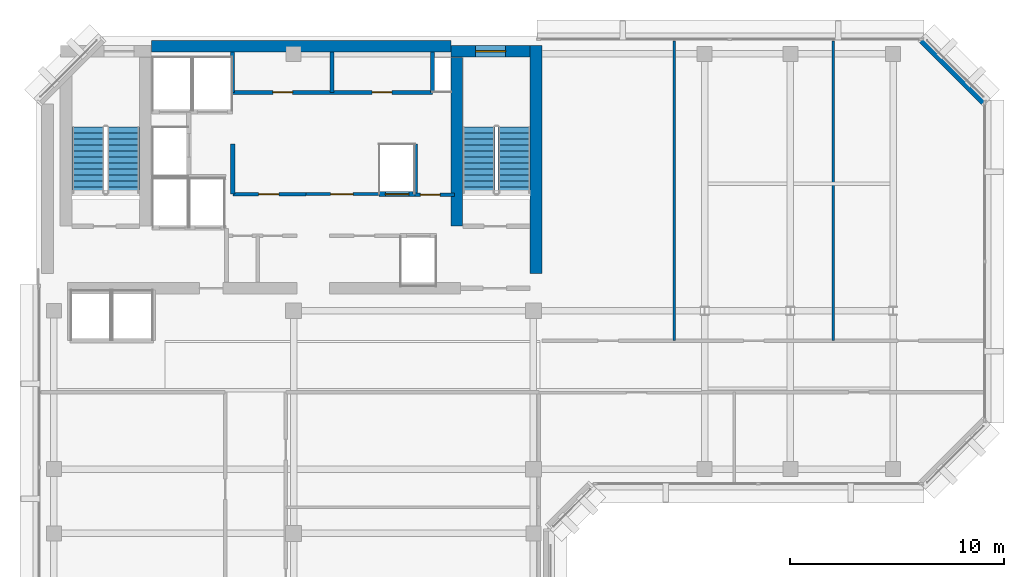
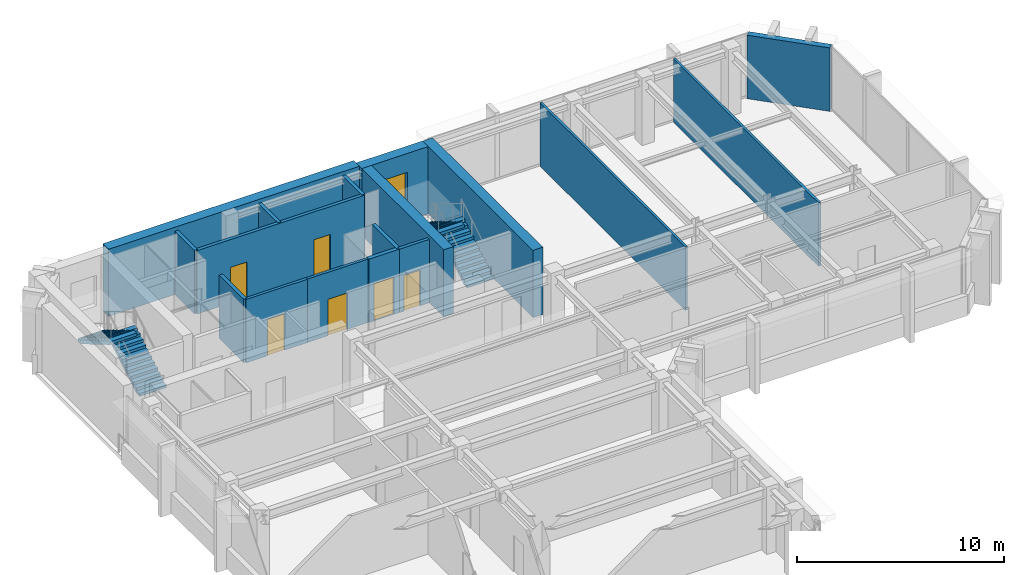
# One storey, part 8 of 11: 17 walls, 6 doors, 4 stair flights, 1 window, 7 openings, 2 elements without a shape of their own.
"""IFC4 building model written with IfcOpenShell, lengths in metres."""

from ifc_helpers import new_model, si_unit, direction, frame, frame_2d, origin, place, context, subcontext, project, spatial, polyline, rectangle, outline, extrude, material, layer, layer_set, type_object, element, fill, aggregate, save


model = new_model("IFC4")

# Units and contexts
model_context = context("Model", 3, precision=1e-05, world=origin(), true_north=direction((0.0, 1.0)))
body_context = subcontext(model_context, "Body", "Model", "MODEL_VIEW")
ifc_project = project(units=[si_unit("LENGTHUNIT", "METRE"), si_unit("AREAUNIT", "SQUARE_METRE"), si_unit("VOLUMEUNIT", "CUBIC_METRE"), si_unit("PLANEANGLEUNIT", "RADIAN"), si_unit("MASSUNIT", "GRAM", prefix="KILO")], contexts=[model_context])

# Site, building, storey
site_placement = place(None, origin())
site = spatial("IfcSite", under=ifc_project, at=site_placement, CompositionType="ELEMENT")
building_placement = place(site_placement, origin())
building = spatial("IfcBuilding", under=site, at=building_placement, Name="Kefirva Bronze Tower", CompositionType="ELEMENT")
storey_placement = place(building_placement, frame((0.0, 0.0, 307.889892578125)))
storey = spatial("IfcBuildingStorey", under=building, at=storey_placement, Name="L75", CompositionType="ELEMENT", Elevation=307.889892578125)

# Walls
ifc_material_1 = material(Name="Gypsum acoustic partition")
ifc_layer_1 = layer(ifc_material_1, 0.1298828125, Name="Gypsum acoustic partition")
ifc_layer_set_1 = layer_set([ifc_layer_1], Name="Gypsum acoustic partition")
wall_type_1 = type_object("IfcWallType", Name="Acoustic Office Partition 130mm", PredefinedType="PARTITIONING", material=ifc_layer_set_1)
for number, where, z_axis, x_axis, name in (
    (1, (29.782958984375, 31.800048828125, 0.0), (0.0, 0.0, 1.0), (0.0, 1.0, 0.0), "L75 Partition W-L75-END1"),
    (2, (37.20263671875, 31.800048828125, 0.0), (0.0, 0.0, 1.0), (0.0, 1.0, 0.0), "L75 Partition W-L75-END2"),
):
    element("IfcWall", number, at=place(storey_placement, frame(where, z_axis=z_axis, x_axis=x_axis)), inside=storey, type_object=wall_type_1, Name=name, PredefinedType="PARTITIONING", context=body_context, shape_type="SweptSolid", body=[
        extrude(rectangle(XDim=14.010009765625, YDim=0.1298828125, at=frame_2d((7.0048828125, 0.0))), origin(), (0.0, 0.0, 1.0), 3.739990234375),
    ])

# Wall, opening, door
ifc_layer_2 = layer(ifc_material_1, 0.14990234375, Name="Gypsum acoustic partition")
ifc_layer_set_2 = layer_set([ifc_layer_2], Name="Gypsum acoustic partition")
wall_type_2 = type_object("IfcWallType", Name="Executive Suite Partition 150mm", PredefinedType="PARTITIONING", material=ifc_layer_set_2)
wall_1_placement = place(storey_placement, frame((12.580078125, 38.64990234375, 0.0), z_axis=(0.0, 0.0, 1.0), x_axis=(1.0, 0.0, 0.0)))
wall_1 = element("IfcWall", 3, at=wall_1_placement, inside=storey, type_object=wall_type_2, Name="L75 Partition W-L75-RECMP2", PredefinedType="PARTITIONING", context=body_context, shape_type="SweptSolid", body=[
    extrude(rectangle(XDim=3.3798828125, YDim=0.14990234375, at=frame_2d((1.68994140625, 0.0))), origin(), (0.0, 0.0, 1.0), 3.739990234375),
])
opening_1_placement = place(wall_1_placement, frame((2.199951171875, 0.0, 0.0), z_axis=(0.0, 0.0, 1.0), x_axis=(-1.0, 0.0, 0.0)))
opening_1 = element("IfcOpeningElement", 4, at=opening_1_placement, cuts=wall_1, Name="Opening L75-D-RECMP2", PredefinedType="OPENING", context=body_context, shape_type="SweptSolid", body=[
    extrude(rectangle(XDim=1.050048828125, YDim=2.14990234375, at=frame_2d((0.52490234375, 1.074951171875))), frame((0.0, 0.0849609375, 0.0), z_axis=(0.0, -1.0, 0.0), x_axis=(1.0, 0.0, 0.0)), (0.0, 0.0, 1.0), 0.169921875),
])
ifc_material_2 = material(Name="Acoustic hardwood oak", Category="wood")
door_type_1 = type_object("IfcDoorType", Name="Executive & Boardroom Door 1050x2150", OperationType="NOTDEFINED", PredefinedType="DOOR", material=ifc_material_2)
door_1_placement = place(opening_1_placement, origin())
door_1 = element("IfcDoor", 5, at=door_1_placement, inside=storey, type_object=door_type_1, Name="Door L75-D-RECMP2", OperationType="SINGLE_SWING_RIGHT", OverallHeight=2.14990234375, OverallWidth=1.050048828125, PredefinedType="DOOR", context=body_context, shape_type="SweptSolid", body=[
    extrude(rectangle(XDim=1.050048828125, YDim=2.14990234375, at=frame_2d((0.52490234375, 1.074951171875))), frame((0.0, 0.02490234375, 0.0), z_axis=(0.0, -1.0, 0.0), x_axis=(1.0, 0.0, 0.0)), (0.0, 0.0, 1.0), 0.050048828125),
])
fill(opening_1, door_1)

# Walls
ifc_material_3 = material(Name="Gypsum fireboard shaftwall")
ifc_layer_3 = layer(ifc_material_3, 0.219970703125, Name="Gypsum fireboard shaftwall")
ifc_layer_set_3 = layer_set([ifc_layer_3], Name="Gypsum fireboard shaftwall")
wall_type_3 = type_object("IfcWallType", Name="Fire-Rated Shaft Enclosure Wall 220mm", PredefinedType="PARTITIONING", material=ifc_layer_set_3)
for number, where, z_axis, x_axis, name in (
    (6, (9.159912109375, 38.64990234375, 0.0), (0.0, 0.0, 1.0), (0.0, 1.0, 0.0), "L75 Partition W-L75-LP3W"),
    (7, (17.679931640625, 38.64990234375, 0.0), (0.0, 0.0, 1.0), (0.0, 1.0, 0.0), "L75 Partition W-L75-HP2E"),
):
    element("IfcWall", number, at=place(storey_placement, frame(where, z_axis=z_axis, x_axis=x_axis)), inside=storey, type_object=wall_type_3, Name=name, PredefinedType="PARTITIONING", context=body_context, shape_type="SweptSolid", body=[
        extrude(rectangle(XDim=2.35009765625, YDim=0.199951171875, at=frame_2d((1.175048828125, 0.0))), origin(), (0.0, 0.0, 1.0), 3.739990234375),
    ])

# Wall, opening, door
wall_2_placement = place(storey_placement, frame((15.97998046875, 38.64990234375, 0.0), z_axis=(0.0, 0.0, 1.0), x_axis=(1.0, 0.0, 0.0)))
wall_2 = element("IfcWall", 8, at=wall_2_placement, inside=storey, type_object=wall_type_3, Name="L75 Partition W-L75-HPN", PredefinedType="PARTITIONING", context=body_context, shape_type="SweptSolid", body=[
    extrude(rectangle(XDim=1.719970703125, YDim=0.219970703125, at=frame_2d((0.85986328125, 0.0))), origin(), (0.0, 0.0, 1.0), 3.739990234375),
])
opening_2_placement = place(wall_2_placement, frame((0.300048828125, 0.0, 0.0)))
opening_2 = element("IfcOpeningElement", 9, at=opening_2_placement, cuts=wall_2, Name="Opening L75-LD-HP2", PredefinedType="OPENING", context=body_context, shape_type="SweptSolid", body=[
    extrude(rectangle(XDim=1.10009765625, YDim=2.199951171875, at=frame_2d((0.550048828125, 1.10009765625))), frame((0.0, 0.1201171875, 0.0), z_axis=(0.0, -1.0, 0.0), x_axis=(1.0, 0.0, 0.0)), (0.0, 0.0, 1.0), 0.239990234375),
])
ifc_material_4 = material(Name="Stainless steel 316", Category="steel")
door_type_2 = type_object("IfcDoorType", Name="Passenger Lift Sliding Landing Door 1100x2200", OperationType="SLIDING_TO_LEFT", PredefinedType="DOOR", material=ifc_material_4)
door_2_placement = place(opening_2_placement, origin())
door_2 = element("IfcDoor", 10, at=door_2_placement, inside=storey, type_object=door_type_2, Name="Door L75-LD-HP2", OperationType="SLIDING_TO_LEFT", OverallHeight=2.199951171875, OverallWidth=1.10009765625, PredefinedType="DOOR", context=body_context, shape_type="SweptSolid", body=[
    extrude(rectangle(XDim=1.10009765625, YDim=2.199951171875, at=frame_2d((0.550048828125, 1.10009765625))), frame((0.0, 0.02490234375, 0.0), z_axis=(0.0, -1.0, 0.0), x_axis=(1.0, 0.0, 0.0)), (0.0, 0.0, 1.0), 0.050048828125),
])
fill(opening_2, door_2)

ifc_material_5 = material(Name="Gypsum fireboard barrier")
ifc_layer_4 = layer(ifc_material_5, 0.199951171875, Name="Gypsum fireboard barrier")
ifc_layer_set_4 = layer_set([ifc_layer_4], Name="Gypsum fireboard barrier")
wall_type_4 = type_object("IfcWallType", Name="Firefighting Lobby Barrier Wall 200mm", PredefinedType="PARTITIONING", material=ifc_layer_set_4)
wall_3_placement = place(storey_placement, frame((17.679931640625, 38.6201171875, 0.0), z_axis=(0.0, 0.0, 1.0), x_axis=(1.0, 0.0, 0.0)))
wall_3 = element("IfcWall", 11, at=wall_3_placement, inside=storey, type_object=wall_type_4, Name="L75 Partition W-L75-CPASS", PredefinedType="PARTITIONING", context=body_context, shape_type="SweptSolid", body=[
    extrude(rectangle(XDim=1.840087890625, YDim=0.179931640625, at=frame_2d((0.919921875, 0.0))), origin(), (0.0, 0.0, 1.0), 3.739990234375),
])
opening_3_placement = place(wall_3_placement, frame((0.239990234375, 0.0, 0.0)))
opening_3 = element("IfcOpeningElement", 12, at=opening_3_placement, cuts=wall_3, Name="Opening L75-D-CPAS", PredefinedType="OPENING", context=body_context, shape_type="SweptSolid", body=[
    extrude(rectangle(XDim=0.919921875, YDim=2.10009765625, at=frame_2d((0.4599609375, 1.050048828125))), frame((0.0, 0.10009765625, 0.0), z_axis=(0.0, -1.0, 0.0), x_axis=(1.0, 0.0, 0.0)), (0.0, 0.0, 1.0), 0.199951171875),
])
ifc_material_6 = material(Name="Moisture-resistant timber", Category="wood")
door_type_3 = type_object("IfcDoorType", Name="Accessible Sanitary & WC Door 920x2100", OperationType="NOTDEFINED", PredefinedType="DOOR", material=ifc_material_6)
door_3_placement = place(opening_3_placement, origin())
door_3 = element("IfcDoor", 13, at=door_3_placement, inside=storey, type_object=door_type_3, Name="Door L75-D-CPAS", OperationType="SINGLE_SWING_LEFT", OverallHeight=2.10009765625, OverallWidth=0.919921875, PredefinedType="DOOR", context=body_context, shape_type="SweptSolid", body=[
    extrude(rectangle(XDim=0.919921875, YDim=2.10009765625, at=frame_2d((0.4599609375, 1.050048828125))), frame((0.0, 0.02490234375, 0.0), z_axis=(0.0, -1.0, 0.0), x_axis=(1.0, 0.0, 0.0)), (0.0, 0.0, 1.0), 0.050048828125),
])
fill(opening_3, door_3)

# Wall
ifc_material_7 = material(Name="Precast concrete C40/50", Category="concrete")
ifc_layer_5 = layer(ifc_material_7, 0.320068359375, Name="Precast concrete C40/50")
ifc_layer_set_5 = layer_set([ifc_layer_5], Name="Precast concrete C40/50")
wall_type_5 = type_object("IfcWallType", Name="Precast Insulated Exterior Wall 320mm", PredefinedType="SOLIDWALL", material=ifc_layer_set_5)
wall_4_placement = place(storey_placement, frame((44.248046875, 42.92578125, 0.0), z_axis=(0.0, 0.0, 1.0), x_axis=(-0.707136318428, 0.707077242712, 0.0)))
element("IfcWall", 14, at=wall_4_placement, inside=storey, type_object=wall_type_5, Name="L75 Exterior Facade Wall 5", PredefinedType="SOLIDWALL", context=body_context, shape_type="SweptSolid", body=[
    extrude(rectangle(XDim=4.132568359375, YDim=0.320068359375, at=frame_2d((2.06640625, 0.0))), origin(), (0.0, 0.0, 1.0), 3.739990234375),
])

# Wall, opening, door
ifc_layer_6 = layer(ifc_material_1, 0.159912109375, Name="Gypsum acoustic partition")
ifc_layer_set_6 = layer_set([ifc_layer_6], Name="Gypsum acoustic partition")
wall_type_6 = type_object("IfcWallType", Name="Protected Corridor Partition 160mm", PredefinedType="PARTITIONING", material=ifc_layer_set_6)
wall_5_placement = place(storey_placement, frame((9.159912109375, 38.64990234375, 0.0), z_axis=(0.0, 0.0, 1.0), x_axis=(1.0, 0.0, 0.0)))
wall_5 = element("IfcWall", 15, at=wall_5_placement, inside=storey, type_object=wall_type_6, Name="L75 Partition W-L75-RECLP2", PredefinedType="PARTITIONING", context=body_context, shape_type="SweptSolid", body=[
    extrude(rectangle(XDim=3.420166015625, YDim=0.159912109375, at=frame_2d((1.7099609375, 0.0))), origin(), (0.0, 0.0, 1.0), 3.739990234375),
])
opening_4_placement = place(wall_5_placement, frame((2.14990234375, 0.0, 0.0), z_axis=(0.0, 0.0, 1.0), x_axis=(-1.0, 0.0, 0.0)))
opening_4 = element("IfcOpeningElement", 16, at=opening_4_placement, cuts=wall_5, Name="Opening L75-D-RECLP2", PredefinedType="OPENING", context=body_context, shape_type="SweptSolid", body=[
    extrude(rectangle(XDim=0.949951171875, YDim=2.14990234375, at=frame_2d((0.47509765625, 1.074951171875))), frame((0.0, 0.08984375, 0.0), z_axis=(0.0, -1.0, 0.0), x_axis=(1.0, 0.0, 0.0)), (0.0, 0.0, 1.0), 0.179931640625),
])
door_type_4 = type_object("IfcDoorType", Name="Office & Meeting Room Door 950x2150", OperationType="NOTDEFINED", PredefinedType="DOOR", material=ifc_material_2)
door_4_placement = place(opening_4_placement, origin())
door_4 = element("IfcDoor", 17, at=door_4_placement, inside=storey, type_object=door_type_4, Name="Door L75-D-RECLP2", OperationType="SINGLE_SWING_RIGHT", OverallHeight=2.14990234375, OverallWidth=0.949951171875, PredefinedType="DOOR", context=body_context, shape_type="SweptSolid", body=[
    extrude(rectangle(XDim=0.949951171875, YDim=2.14990234375, at=frame_2d((0.47509765625, 1.074951171875))), frame((0.0, 0.02490234375, 0.0), z_axis=(0.0, -1.0, 0.0), x_axis=(1.0, 0.0, 0.0)), (0.0, 0.0, 1.0), 0.050048828125),
])
fill(opening_4, door_4)

# Wall
ifc_material_8 = material(Name="Concrete C50/60", Category="concrete")
ifc_layer_7 = layer(ifc_material_8, 0.550048828125, Name="Concrete C50/60")
ifc_layer_set_7 = layer_set([ifc_layer_7], Name="Concrete C50/60")
wall_type_7 = type_object("IfcWallType", Name="RC Rear Core Exterior Wall 550mm", PredefinedType="SHEAR", material=ifc_layer_set_7)
wall_6_placement = place(storey_placement, frame((5.360107421875, 45.550048828125, 0.0), z_axis=(0.0, 0.0, 1.0), x_axis=(1.0, 0.0, 0.0)))
element("IfcWall", 18, at=wall_6_placement, inside=storey, type_object=wall_type_7, Name="L75 Rear Core North Shear Wall", PredefinedType="SHEAR", context=body_context, shape_type="SweptSolid", body=[
    extrude(rectangle(XDim=13.97998046875, YDim=0.550048828125, at=frame_2d((6.989990234375, 0.0))), origin(), (0.0, 0.0, 1.0), 3.960205078125),
])

# Wall, opening, window
wall_7_placement = place(storey_placement, frame((19.35009765625, 45.320068359375, 0.0), z_axis=(0.0, 0.0, 1.0), x_axis=(1.0, 0.0, 0.0)))
wall_7 = element("IfcWall", 19, at=wall_7_placement, inside=storey, type_object=wall_type_7, Name="L75 Stair 2 North Shear Wall", PredefinedType="SHEAR", context=body_context, shape_type="SweptSolid", body=[
    extrude(rectangle(XDim=3.68994140625, YDim=0.550048828125, at=frame_2d((1.844970703125, 0.0))), origin(), (0.0, 0.0, 1.0), 3.960205078125),
])
opening_5_placement = place(wall_7_placement, frame((1.14990234375, 0.0, 1.050048828125)))
opening_5 = element("IfcOpeningElement", 20, at=opening_5_placement, cuts=wall_7, Name="Opening WN-03", PredefinedType="OPENING", context=body_context, shape_type="SweptSolid", body=[
    extrude(rectangle(XDim=1.39990234375, YDim=1.800048828125, at=frame_2d((0.699951171875, 0.89990234375))), frame((0.0, 0.28515625, 0.0), z_axis=(0.0, -1.0, 0.0), x_axis=(1.0, 0.0, 0.0)), (0.0, 0.0, 1.0), 0.570068359375),
])
ifc_material_9 = material(Name="Laminated low-E double glazing", Category="glass")
window_type = type_object("IfcWindowType", Name="Rear-Core Stair Daylight Window 1400x1800", PartitioningType="SINGLE_PANEL", PredefinedType="WINDOW", material=ifc_material_9)
window_placement = place(opening_5_placement, origin())
window = element("IfcWindow", 21, at=window_placement, inside=storey, type_object=window_type, Name="L75 Stair 2 Daylight Window", OverallHeight=1.800048828125, OverallWidth=1.39990234375, PartitioningType="SINGLE_PANEL", PredefinedType="WINDOW", context=body_context, shape_type="SweptSolid", body=[
    extrude(rectangle(XDim=1.39990234375, YDim=1.800048828125, at=frame_2d((0.699951171875, 0.89990234375))), frame((0.0, 0.030029296875, 0.0), z_axis=(0.0, -1.0, 0.0), x_axis=(1.0, 0.0, 0.0)), (0.0, 0.0, 1.0), 0.06005859375),
])
fill(opening_5, window)

# Walls
ifc_layer_8 = layer(ifc_material_8, 0.550048828125, Name="Concrete C50/60")
ifc_layer_set_8 = layer_set([ifc_layer_8], Name="Concrete C50/60")
wall_type_8 = type_object("IfcWallType", Name="RC Rear Core Interior Wall 550mm", PredefinedType="SHEAR", material=ifc_layer_set_8)
wall_8_placement = place(storey_placement, frame((23.324951171875, 34.949951171875, 0.0), z_axis=(0.0, 0.0, 1.0), x_axis=(0.0, 1.0, 0.0)))
element("IfcWall", 22, at=wall_8_placement, inside=storey, type_object=wall_type_8, Name="L75 Rear Core East Shear Wall", PredefinedType="SHEAR", context=body_context, shape_type="SweptSolid", body=[
    extrude(rectangle(XDim=10.64013671875, YDim=0.550048828125, at=frame_2d((5.320068359375, 0.0))), origin(), (0.0, 0.0, 1.0), 3.960205078125),
])
wall_9_placement = place(storey_placement, frame((19.6201171875, 37.14990234375, 0.0), z_axis=(0.0, 0.0, 1.0), x_axis=(0.0, 1.0, 0.0)))
element("IfcWall", 23, at=wall_9_placement, inside=storey, type_object=wall_type_8, Name="L75 Stair 2 West Shear Wall", PredefinedType="SHEAR", context=body_context, shape_type="SweptSolid", body=[
    extrude(rectangle(XDim=7.89013671875, YDim=0.550048828125, at=frame_2d((3.945068359375, 0.0))), origin(), (0.0, 0.0, 1.0), 3.960205078125),
])

# Wall, openings, doors
ifc_material_10 = material(Name="Moisture-resistant partition")
ifc_layer_9 = layer(ifc_material_10, 0.179931640625, Name="Moisture-resistant partition")
ifc_layer_set_9 = layer_set([ifc_layer_9], Name="Moisture-resistant partition")
wall_type_9 = type_object("IfcWallType", Name="Sanitary Plumbing Chase Wall 180mm", PredefinedType="PLUMBINGWALL", material=ifc_layer_set_9)
wall_10_placement = place(storey_placement, frame((9.14990234375, 43.39990234375, 0.0), z_axis=(0.0, 0.0, 1.0), x_axis=(1.0, 0.0, 0.0)))
wall_10 = element("IfcWall", 24, at=wall_10_placement, inside=storey, type_object=wall_type_9, Name="L75 Partition W-L75-SVCS", PredefinedType="PLUMBINGWALL", context=body_context, shape_type="SweptSolid", body=[
    extrude(rectangle(XDim=9.330078125, YDim=0.179931640625, at=frame_2d((4.6650390625, 0.0))), origin(), (0.0, 0.0, 1.0), 3.739990234375),
])
opening_6_placement = place(wall_10_placement, frame((1.8798828125, 0.0, 0.0)))
opening_6 = element("IfcOpeningElement", 25, at=opening_6_placement, cuts=wall_10, Name="Opening L75-D-CSVC1", PredefinedType="OPENING", context=body_context, shape_type="SweptSolid", body=[
    extrude(rectangle(XDim=0.919921875, YDim=2.10009765625, at=frame_2d((0.4599609375, 1.050048828125))), frame((0.0, 0.10009765625, 0.0), z_axis=(0.0, -1.0, 0.0), x_axis=(1.0, 0.0, 0.0)), (0.0, 0.0, 1.0), 0.199951171875),
])
opening_7_placement = place(wall_10_placement, frame((6.514892578125, 0.0, 0.0)))
opening_7 = element("IfcOpeningElement", 26, at=opening_7_placement, cuts=wall_10, Name="Opening L75-D-CSVC2", PredefinedType="OPENING", context=body_context, shape_type="SweptSolid", body=[
    extrude(rectangle(XDim=0.919921875, YDim=2.10009765625, at=frame_2d((0.4599609375, 1.050048828125))), frame((0.0, 0.10009765625, 0.0), z_axis=(0.0, -1.0, 0.0), x_axis=(1.0, 0.0, 0.0)), (0.0, 0.0, 1.0), 0.199951171875),
])
door_5_placement = place(opening_6_placement, origin())
door_5 = element("IfcDoor", 27, at=door_5_placement, inside=storey, type_object=door_type_3, Name="Door L75-D-CSVC1", OperationType="SINGLE_SWING_LEFT", OverallHeight=2.10009765625, OverallWidth=0.919921875, PredefinedType="DOOR", context=body_context, shape_type="SweptSolid", body=[
    extrude(rectangle(XDim=0.919921875, YDim=2.10009765625, at=frame_2d((0.4599609375, 1.050048828125))), frame((0.0, 0.02490234375, 0.0), z_axis=(0.0, -1.0, 0.0), x_axis=(1.0, 0.0, 0.0)), (0.0, 0.0, 1.0), 0.050048828125),
])
fill(opening_6, door_5)
door_6_placement = place(opening_7_placement, origin())
door_6 = element("IfcDoor", 28, at=door_6_placement, inside=storey, type_object=door_type_3, Name="Door L75-D-CSVC2", OperationType="SINGLE_SWING_RIGHT", OverallHeight=2.10009765625, OverallWidth=0.919921875, PredefinedType="DOOR", context=body_context, shape_type="SweptSolid", body=[
    extrude(rectangle(XDim=0.919921875, YDim=2.10009765625, at=frame_2d((0.4599609375, 1.050048828125))), frame((0.0, 0.02490234375, 0.0), z_axis=(0.0, -1.0, 0.0), x_axis=(1.0, 0.0, 0.0)), (0.0, 0.0, 1.0), 0.050048828125),
])
fill(opening_7, door_6)

# Walls
for number, where, z_axis, x_axis, name in (
    (29, (9.14990234375, 43.39990234375, 0.0), (0.0, 0.0, 1.0), (0.0, 1.0, 0.0), "L75 Partition W-L75-SVCW"),
    (30, (18.47998046875, 43.39990234375, 0.0), (0.0, 0.0, 1.0), (0.0, 1.0, 0.0), "L75 Partition W-L75-SVCE"),
    (31, (13.800048828125, 43.39990234375, 0.0), (0.0, 0.0, 1.0), (0.0, 1.0, 0.0), "L75 Partition W-L75-CSVD-1"),
):
    element("IfcWall", number, at=place(storey_placement, frame(where, z_axis=z_axis, x_axis=x_axis)), inside=storey, type_object=wall_type_9, Name=name, PredefinedType="PLUMBINGWALL", context=body_context, shape_type="SweptSolid", body=[
        extrude(rectangle(XDim=1.880126953125, YDim=0.179931640625, at=frame_2d((0.93994140625, 0.0))), origin(), (0.0, 0.0, 1.0), 3.739990234375),
    ])

# Stair, stair flights
ifc_material_11 = material(Name="Concrete C40/50", Category="concrete")
stair_type = type_object("IfcStairType", Name="RC Dogleg Protected Stair 24R", PredefinedType="HALF_TURN_STAIR", material=ifc_material_11)
stair_1_placement = place(storey_placement, origin())
stair_1 = element("IfcStair", 32, at=stair_1_placement, inside=storey, type_object=stair_type, Name="L75 Protected Exit Stair 1", PredefinedType="HALF_TURN_STAIR")
stair_flight_type = type_object("IfcStairFlightType", Name="RC Straight Stair Flight 24R", PredefinedType="STRAIGHT", material=ifc_material_11)
stair_flight_1_placement = place(storey_placement, frame((4.050048828125, 38.699951171875, 0.0), z_axis=(0.0, 0.0, 1.0), x_axis=(0.0, 1.0, 0.0)))
stair_flight_1 = element("IfcStairFlight", 33, at=stair_flight_1_placement, type_object=stair_flight_type, Name="ST-1 flight 1", NumberOfRisers=12, NumberOfTreads=11, PredefinedType="STRAIGHT", RiserHeight=0.165, TreadLength=0.28, context=body_context, shape_type="SweptSolid", body=[
    extrude(outline(polyline([(0.0, 0.0), (0.0, 0.1650390625), (0.280029296875, 0.1650390625), (0.280029296875, 0.330078125), (0.56005859375, 0.330078125), (0.56005859375, 0.4951171875), (0.840087890625, 0.4951171875), (0.840087890625, 0.659912109375), (1.1201171875, 0.659912109375), (1.1201171875, 0.824951171875), (1.39990234375, 0.824951171875), (1.39990234375, 0.989990234375), (1.679931640625, 0.989990234375), (1.679931640625, 1.155029296875), (1.9599609375, 1.155029296875), (1.9599609375, 1.320068359375), (2.239990234375, 1.320068359375), (2.239990234375, 1.485107421875), (2.52001953125, 1.485107421875), (2.52001953125, 1.64990234375), (2.800048828125, 1.64990234375), (2.800048828125, 1.81494140625), (3.080078125, 1.81494140625), (3.080078125, 1.97998046875), (3.080078125, 1.64111328125), (0.295166015625, 0.0), (0.0, 0.0)])), frame((0.0, 0.75, 0.0), z_axis=(0.0, -1.0, 0.0), x_axis=(1.0, 0.0, 0.0)), (0.0, 0.0, 1.0), 1.5),
])
stair_flight_2_placement = place(storey_placement, frame((2.39990234375, 41.780029296875, 1.980224609375), z_axis=(0.0, 0.0, 1.0), x_axis=(0.0, -1.0, 0.0)))
stair_flight_2 = element("IfcStairFlight", 34, at=stair_flight_2_placement, type_object=stair_flight_type, Name="ST-1 flight 2", NumberOfRisers=12, NumberOfTreads=11, PredefinedType="STRAIGHT", RiserHeight=0.165, TreadLength=0.28, context=body_context, shape_type="SweptSolid", body=[
    extrude(outline(polyline([(0.0, 0.0), (0.0, 0.1650390625), (0.280029296875, 0.1650390625), (0.280029296875, 0.330078125), (0.56005859375, 0.330078125), (0.56005859375, 0.4951171875), (0.840087890625, 0.4951171875), (0.840087890625, 0.659912109375), (1.1201171875, 0.659912109375), (1.1201171875, 0.824951171875), (1.39990234375, 0.824951171875), (1.39990234375, 0.989990234375), (1.679931640625, 0.989990234375), (1.679931640625, 1.155029296875), (1.9599609375, 1.155029296875), (1.9599609375, 1.320068359375), (2.239990234375, 1.320068359375), (2.239990234375, 1.485107421875), (2.52001953125, 1.485107421875), (2.52001953125, 1.64990234375), (2.800048828125, 1.64990234375), (2.800048828125, 1.81494140625), (3.080078125, 1.81494140625), (3.080078125, 1.97998046875), (3.080078125, 1.64111328125), (0.295166015625, 0.0), (0.0, 0.0)])), frame((0.0, 0.75, 0.0), z_axis=(0.0, -1.0, 0.0), x_axis=(1.0, 0.0, 0.0)), (0.0, 0.0, 1.0), 1.5),
])
aggregate(stair_1, [stair_flight_1, stair_flight_2])

stair_2_placement = place(storey_placement, origin())
stair_2 = element("IfcStair", 35, at=stair_2_placement, inside=storey, type_object=stair_type, Name="L75 Protected Exit Stair 2", PredefinedType="HALF_TURN_STAIR")
stair_flight_3_placement = place(storey_placement, frame((22.300048828125, 38.699951171875, 0.0), z_axis=(0.0, 0.0, 1.0), x_axis=(0.0, 1.0, 0.0)))
stair_flight_3 = element("IfcStairFlight", 36, at=stair_flight_3_placement, type_object=stair_flight_type, Name="ST-2 flight 1", NumberOfRisers=12, NumberOfTreads=11, PredefinedType="STRAIGHT", RiserHeight=0.165, TreadLength=0.28, context=body_context, shape_type="SweptSolid", body=[
    extrude(outline(polyline([(0.0, 0.0), (0.0, 0.1650390625), (0.280029296875, 0.1650390625), (0.280029296875, 0.330078125), (0.56005859375, 0.330078125), (0.56005859375, 0.4951171875), (0.840087890625, 0.4951171875), (0.840087890625, 0.659912109375), (1.1201171875, 0.659912109375), (1.1201171875, 0.824951171875), (1.39990234375, 0.824951171875), (1.39990234375, 0.989990234375), (1.679931640625, 0.989990234375), (1.679931640625, 1.155029296875), (1.9599609375, 1.155029296875), (1.9599609375, 1.320068359375), (2.239990234375, 1.320068359375), (2.239990234375, 1.485107421875), (2.52001953125, 1.485107421875), (2.52001953125, 1.64990234375), (2.800048828125, 1.64990234375), (2.800048828125, 1.81494140625), (3.080078125, 1.81494140625), (3.080078125, 1.97998046875), (3.080078125, 1.64111328125), (0.295166015625, 0.0), (0.0, 0.0)])), frame((0.0, 0.75, 0.0), z_axis=(0.0, -1.0, 0.0), x_axis=(1.0, 0.0, 0.0)), (0.0, 0.0, 1.0), 1.5),
])
stair_flight_4_placement = place(storey_placement, frame((20.64990234375, 41.780029296875, 1.980224609375), z_axis=(0.0, 0.0, 1.0), x_axis=(0.0, -1.0, 0.0)))
stair_flight_4 = element("IfcStairFlight", 37, at=stair_flight_4_placement, type_object=stair_flight_type, Name="ST-2 flight 2", NumberOfRisers=12, NumberOfTreads=11, PredefinedType="STRAIGHT", RiserHeight=0.165, TreadLength=0.28, context=body_context, shape_type="SweptSolid", body=[
    extrude(outline(polyline([(0.0, 0.0), (0.0, 0.1650390625), (0.280029296875, 0.1650390625), (0.280029296875, 0.330078125), (0.56005859375, 0.330078125), (0.56005859375, 0.4951171875), (0.840087890625, 0.4951171875), (0.840087890625, 0.659912109375), (1.1201171875, 0.659912109375), (1.1201171875, 0.824951171875), (1.39990234375, 0.824951171875), (1.39990234375, 0.989990234375), (1.679931640625, 0.989990234375), (1.679931640625, 1.155029296875), (1.9599609375, 1.155029296875), (1.9599609375, 1.320068359375), (2.239990234375, 1.320068359375), (2.239990234375, 1.485107421875), (2.52001953125, 1.485107421875), (2.52001953125, 1.64990234375), (2.800048828125, 1.64990234375), (2.800048828125, 1.81494140625), (3.080078125, 1.81494140625), (3.080078125, 1.97998046875), (3.080078125, 1.64111328125), (0.295166015625, 0.0), (0.0, 0.0)])), frame((0.0, 0.75, 0.0), z_axis=(0.0, -1.0, 0.0), x_axis=(1.0, 0.0, 0.0)), (0.0, 0.0, 1.0), 1.5),
])
aggregate(stair_2, [stair_flight_3, stair_flight_4])

save(model, "model.ifc")
